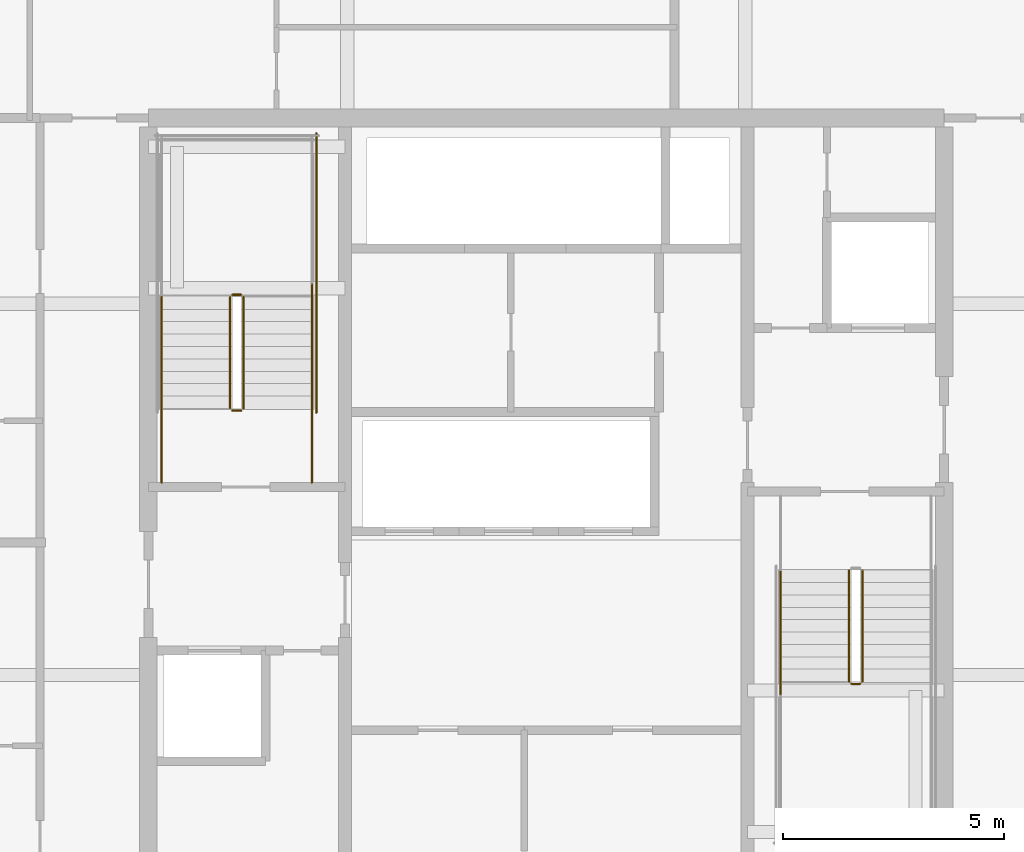
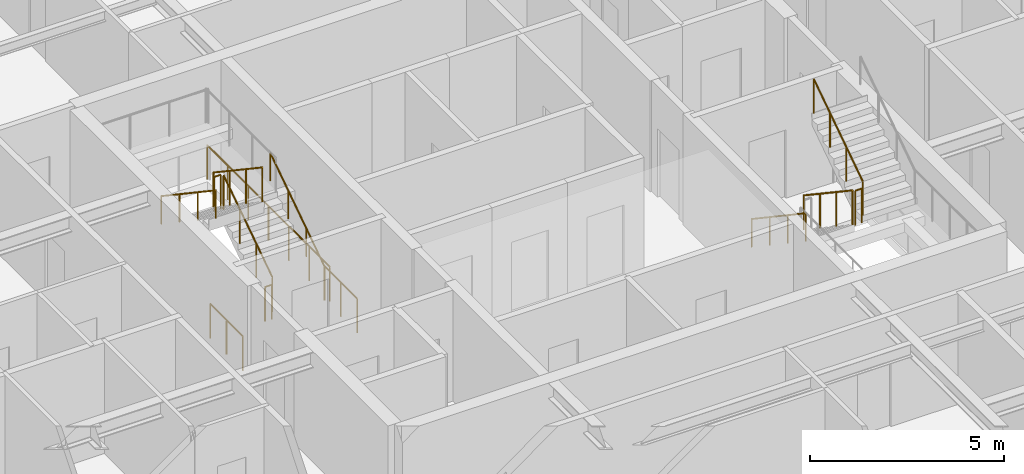
# One storey, part 33 of 36: 13 railings.
"""IFC4 building model written with IfcOpenShell, lengths in metres."""

from ifc_helpers import new_model, si_unit, direction, frame, origin, origin_2d, place, context, subcontext, project, spatial, circle, extrude, material, type_object, element, save


model = new_model("IFC4")

# Units and contexts
model_context = context("Model", 3, precision=1e-05, world=origin(), true_north=direction((0.0, 1.0)))
body_context = subcontext(model_context, "Body", "Model", "MODEL_VIEW")
ifc_project = project(units=[si_unit("LENGTHUNIT", "METRE"), si_unit("AREAUNIT", "SQUARE_METRE"), si_unit("VOLUMEUNIT", "CUBIC_METRE"), si_unit("PLANEANGLEUNIT", "RADIAN"), si_unit("MASSUNIT", "GRAM", prefix="KILO")], contexts=[model_context])

# Site, building, storey
site_placement = place(None, origin())
site = spatial("IfcSite", under=ifc_project, at=site_placement, CompositionType="ELEMENT")
building_placement = place(site_placement, origin())
building = spatial("IfcBuilding", under=site, at=building_placement, Name="Serunith Strait Residences", CompositionType="ELEMENT")
storey_placement = place(building_placement, frame((0.0, 0.0, 131.39990234375)))
storey = spatial("IfcBuildingStorey", under=building, at=storey_placement, Name="L32", CompositionType="ELEMENT", Elevation=131.39990234375)

# Railings
ifc_material = material(Name="Brushed stainless steel 316L", Category="steel")
railing_type_1 = type_object("IfcRailingType", Name="RLG-STAIR-GUARD", PredefinedType="BALUSTRADE", material=ifc_material)
railing_1_placement = place(storey_placement, frame((25.550048828125, 27.030029296875, 0.1875)))
element("IfcRailing", 1, at=railing_1_placement, inside=storey, type_object=railing_type_1, Name="L32 ST-1 stair guard 1", PredefinedType="BALUSTRADE", context=body_context, shape_type="SweptSolid", body=[
    extrude(circle(Radius=0.02392578125, at=origin_2d()), frame((0.0, 0.001708984375, 1.0771484375), z_axis=(0.0, 0.830909170722, 0.55640807867), x_axis=(-1.0, 0.0, 0.0)), (0.0, 0.0, 1.0), 3.02880859375),
    extrude(circle(Radius=0.02099609375, at=origin_2d()), origin(), (0.0, 0.0, 1.0), 1.050048828125),
    extrude(circle(Radius=0.02099609375, at=origin_2d()), frame((0.0, 0.840087890625, 0.5625)), (0.0, 0.0, 1.0), 1.050048828125),
    extrude(circle(Radius=0.02099609375, at=origin_2d()), frame((0.0, 1.679931640625, 1.125)), (0.0, 0.0, 1.0), 1.050048828125),
    extrude(circle(Radius=0.02099609375, at=origin_2d()), frame((0.0, 2.52001953125, 1.6875)), (0.0, 0.0, 1.0), 1.050048828125),
])
railing_2_placement = place(storey_placement, frame((25.5, 29.60009765625, 1.875)))
element("IfcRailing", 2, at=railing_2_placement, inside=storey, type_object=railing_type_1, Name="L32 ST-1 stair guard 2", PredefinedType="BALUSTRADE", context=body_context, shape_type="SweptSolid", body=[
    extrude(circle(Radius=0.02392578125, at=origin_2d()), frame((-0.001953125, 0.0, 1.076171875), z_axis=(-1.0, 0.0, 0.0), x_axis=(0.0, -1.0, 0.0)), (0.0, 0.0, 1.0), 0.196044921875),
    extrude(circle(Radius=0.02099609375, at=origin_2d()), origin(), (0.0, 0.0, 1.0), 1.050048828125),
    extrude(circle(Radius=0.02099609375, at=origin_2d()), frame((-0.199951171875, 0.0, 0.0)), (0.0, 0.0, 1.0), 1.050048828125),
])
railing_3_placement = place(storey_placement, frame((25.25, 29.550048828125, 2.0625)))
element("IfcRailing", 3, at=railing_3_placement, inside=storey, type_object=railing_type_1, Name="L32 ST-1 stair guard 6", PredefinedType="BALUSTRADE", context=body_context, shape_type="SweptSolid", body=[
    extrude(circle(Radius=0.02392578125, at=origin_2d()), frame((0.0, -0.001708984375, 1.0771484375), z_axis=(0.0, -0.830909170722, 0.55640807867), x_axis=(1.0, 0.0, 0.0)), (0.0, 0.0, 1.0), 3.02880859375),
    extrude(circle(Radius=0.02099609375, at=origin_2d()), origin(), (0.0, 0.0, 1.0), 1.050048828125),
    extrude(circle(Radius=0.02099609375, at=origin_2d()), frame((0.0, -0.840087890625, 0.5625)), (0.0, 0.0, 1.0), 1.050048828125),
    extrude(circle(Radius=0.02099609375, at=origin_2d()), frame((0.0, -1.679931640625, 1.125)), (0.0, 0.0, 1.0), 1.050048828125),
    extrude(circle(Radius=0.02099609375, at=origin_2d()), frame((0.0, -2.52001953125, 1.6875)), (0.0, 0.0, 1.0), 1.050048828125),
])
railing_4_placement = place(storey_placement, frame((25.5, 26.97998046875, 0.0)))
element("IfcRailing", 4, at=railing_4_placement, inside=storey, type_object=railing_type_1, Name="L32 ST-1 stair guard 7", PredefinedType="BALUSTRADE", context=body_context, shape_type="SweptSolid", body=[
    extrude(circle(Radius=0.02392578125, at=origin_2d()), frame((-0.001953125, 0.0, 1.076171875), z_axis=(-1.0, 0.0, 0.0), x_axis=(0.0, -1.0, 0.0)), (0.0, 0.0, 1.0), 0.196044921875),
    extrude(circle(Radius=0.02099609375, at=origin_2d()), origin(), (0.0, 0.0, 1.0), 1.050048828125),
    extrude(circle(Radius=0.02099609375, at=origin_2d()), frame((-0.199951171875, 0.0, 0.0)), (0.0, 0.0, 1.0), 1.050048828125),
])
for number, where, name in (
    (5, (27.10009765625, 25.35009765625, 0.0), "L32 ST-1 stair guard 8"),
    (6, (23.699951171875, 25.35009765625, 0.0), "L32 ST-1 stair guard 9"),
):
    element("IfcRailing", number, at=place(storey_placement, frame(where)), inside=storey, type_object=railing_type_1, Name=name, PredefinedType="BALUSTRADE", context=body_context, shape_type="SweptSolid", body=[
        extrude(circle(Radius=0.02392578125, at=origin_2d()), frame((0.0, 0.001953125, 1.076171875), z_axis=(0.0, 1.0, 0.0), x_axis=(-1.0, 0.0, 0.0)), (0.0, 0.0, 1.0), 1.676025390625),
        extrude(circle(Radius=0.02099609375, at=origin_2d()), origin(), (0.0, 0.0, 1.0), 1.050048828125),
        extrude(circle(Radius=0.02099609375, at=origin_2d()), frame((0.0, 0.83984375, 0.0)), (0.0, 0.0, 1.0), 1.050048828125),
        extrude(circle(Radius=0.02099609375, at=origin_2d()), frame((0.0, 1.679931640625, 0.0)), (0.0, 0.0, 1.0), 1.050048828125),
    ])
railing_5_placement = place(storey_placement, frame((27.199951171875, 26.929931640625, 0.0)))
element("IfcRailing", 7, at=railing_5_placement, inside=storey, type_object=railing_type_1, Name="L32 ST-1 stair guard 10", PredefinedType="BALUSTRADE", context=body_context, shape_type="SweptSolid", body=[
    extrude(circle(Radius=0.02392578125, at=origin_2d()), frame((0.0, 0.001953125, 1.076171875), z_axis=(0.0, 1.0, 0.0), x_axis=(-1.0, 0.0, 0.0)), (0.0, 0.0, 1.0), 6.316162109375),
    extrude(circle(Radius=0.02099609375, at=origin_2d()), origin(), (0.0, 0.0, 1.0), 1.050048828125),
    extrude(circle(Radius=0.02099609375, at=origin_2d()), frame((0.0, 1.05322265625, 0.0)), (0.0, 0.0, 1.0), 1.050048828125),
    extrude(circle(Radius=0.02099609375, at=origin_2d()), frame((0.0, 2.106689453125, 0.0)), (0.0, 0.0, 1.0), 1.050048828125),
    extrude(circle(Radius=0.02099609375, at=origin_2d()), frame((0.0, 3.16015625, 0.0)), (0.0, 0.0, 1.0), 1.050048828125),
    extrude(circle(Radius=0.02099609375, at=origin_2d()), frame((0.0, 4.21337890625, 0.0)), (0.0, 0.0, 1.0), 1.050048828125),
    extrude(circle(Radius=0.02099609375, at=origin_2d()), frame((0.0, 5.2666015625, 0.0)), (0.0, 0.0, 1.0), 1.050048828125),
    extrude(circle(Radius=0.02099609375, at=origin_2d()), frame((0.0, 6.320068359375, 0.0)), (0.0, 0.0, 1.0), 1.050048828125),
])
railing_6_placement = place(storey_placement, frame((39.25, 23.3701171875, 0.1875)))
element("IfcRailing", 8, at=railing_6_placement, inside=storey, type_object=railing_type_1, Name="L32 ST-2 stair guard 1", PredefinedType="BALUSTRADE", context=body_context, shape_type="SweptSolid", body=[
    extrude(circle(Radius=0.02392578125, at=origin_2d()), frame((0.0, -0.001708984375, 1.0771484375), z_axis=(0.0, -0.830909170722, 0.55640807867), x_axis=(1.0, 0.0, 0.0)), (0.0, 0.0, 1.0), 3.02880859375),
    extrude(circle(Radius=0.02099609375, at=origin_2d()), origin(), (0.0, 0.0, 1.0), 1.050048828125),
    extrude(circle(Radius=0.02099609375, at=origin_2d()), frame((0.0, -0.840087890625, 0.5625)), (0.0, 0.0, 1.0), 1.050048828125),
    extrude(circle(Radius=0.02099609375, at=origin_2d()), frame((0.0, -1.679931640625, 1.125)), (0.0, 0.0, 1.0), 1.050048828125),
    extrude(circle(Radius=0.02099609375, at=origin_2d()), frame((0.0, -2.52001953125, 1.6875)), (0.0, 0.0, 1.0), 1.050048828125),
])
railing_7_placement = place(storey_placement, frame((39.300048828125, 20.800048828125, 1.875)))
element("IfcRailing", 9, at=railing_7_placement, inside=storey, type_object=railing_type_1, Name="L32 ST-2 stair guard 2", PredefinedType="BALUSTRADE", context=body_context, shape_type="SweptSolid", body=[
    extrude(circle(Radius=0.02392578125, at=origin_2d()), frame((0.001953125, 0.0, 1.076171875), z_axis=(1.0, 0.0, 0.0), x_axis=(0.0, 1.0, 0.0)), (0.0, 0.0, 1.0), 0.196044921875),
    extrude(circle(Radius=0.02099609375, at=origin_2d()), origin(), (0.0, 0.0, 1.0), 1.050048828125),
    extrude(circle(Radius=0.02099609375, at=origin_2d()), frame((0.199951171875, 0.0, 0.0)), (0.0, 0.0, 1.0), 1.050048828125),
])
railing_8_placement = place(storey_placement, frame((39.550048828125, 20.85009765625, 2.0625)))
element("IfcRailing", 10, at=railing_8_placement, inside=storey, type_object=railing_type_1, Name="L32 ST-2 stair guard 6", PredefinedType="BALUSTRADE", context=body_context, shape_type="SweptSolid", body=[
    extrude(circle(Radius=0.02392578125, at=origin_2d()), frame((0.0, 0.001708984375, 1.0771484375), z_axis=(0.0, 0.830909170722, 0.55640807867), x_axis=(-1.0, 0.0, 0.0)), (0.0, 0.0, 1.0), 3.02880859375),
    extrude(circle(Radius=0.02099609375, at=origin_2d()), origin(), (0.0, 0.0, 1.0), 1.050048828125),
    extrude(circle(Radius=0.02099609375, at=origin_2d()), frame((0.0, 0.840087890625, 0.5625)), (0.0, 0.0, 1.0), 1.050048828125),
    extrude(circle(Radius=0.02099609375, at=origin_2d()), frame((0.0, 1.679931640625, 1.125)), (0.0, 0.0, 1.0), 1.050048828125),
    extrude(circle(Radius=0.02099609375, at=origin_2d()), frame((0.0, 2.52001953125, 1.6875)), (0.0, 0.0, 1.0), 1.050048828125),
])
railing_type_2 = type_object("IfcRailingType", Name="RLG-STAIR-HR", PredefinedType="HANDRAIL", material=ifc_material)
railing_9_placement = place(storey_placement, frame((27.10009765625, 27.030029296875, 0.1875)))
element("IfcRailing", 11, at=railing_9_placement, inside=storey, type_object=railing_type_2, Name="L32 ST-1 stair handrail 1", PredefinedType="HANDRAIL", context=body_context, shape_type="SweptSolid", body=[
    extrude(circle(Radius=0.02392578125, at=origin_2d()), frame((0.0, 0.001708984375, 0.876953125), z_axis=(0.0, 0.830208209119, 0.557453432594), x_axis=(-1.0, 0.0, 0.0)), (0.0, 0.0, 1.0), 3.36865234375),
    extrude(circle(Radius=0.02099609375, at=origin_2d()), origin(), (0.0, 0.0, 1.0), 0.849853515625),
    extrude(circle(Radius=0.02099609375, at=origin_2d()), frame((0.0, 0.933349609375, 0.626708984375)), (0.0, 0.0, 1.0), 0.849853515625),
    extrude(circle(Radius=0.02099609375, at=origin_2d()), frame((0.0, 1.86669921875, 1.25341796875)), (0.0, 0.0, 1.0), 0.849853515625),
    extrude(circle(Radius=0.02099609375, at=origin_2d()), frame((0.0, 2.800048828125, 1.880126953125)), (0.0, 0.0, 1.0), 0.849853515625),
])
for number, where, name in (
    (12, (23.699951171875, 29.550048828125, 2.0625), "L32 ST-1 stair handrail 2"),
    (13, (37.699951171875, 23.3701171875, 0.1875), "L32 ST-2 stair handrail 1"),
):
    element("IfcRailing", number, at=place(storey_placement, frame(where)), inside=storey, type_object=railing_type_2, Name=name, PredefinedType="HANDRAIL", context=body_context, shape_type="SweptSolid", body=[
        extrude(circle(Radius=0.02392578125, at=origin_2d()), frame((0.0, -0.001708984375, 0.876953125), z_axis=(0.0, -0.830208209119, 0.557453432594), x_axis=(1.0, 0.0, 0.0)), (0.0, 0.0, 1.0), 3.36865234375),
        extrude(circle(Radius=0.02099609375, at=origin_2d()), origin(), (0.0, 0.0, 1.0), 0.849853515625),
        extrude(circle(Radius=0.02099609375, at=origin_2d()), frame((0.0, -0.933349609375, 0.626708984375)), (0.0, 0.0, 1.0), 0.849853515625),
        extrude(circle(Radius=0.02099609375, at=origin_2d()), frame((0.0, -1.86669921875, 1.25341796875)), (0.0, 0.0, 1.0), 0.849853515625),
        extrude(circle(Radius=0.02099609375, at=origin_2d()), frame((0.0, -2.800048828125, 1.880126953125)), (0.0, 0.0, 1.0), 0.849853515625),
    ])

save(model, "model.ifc")
